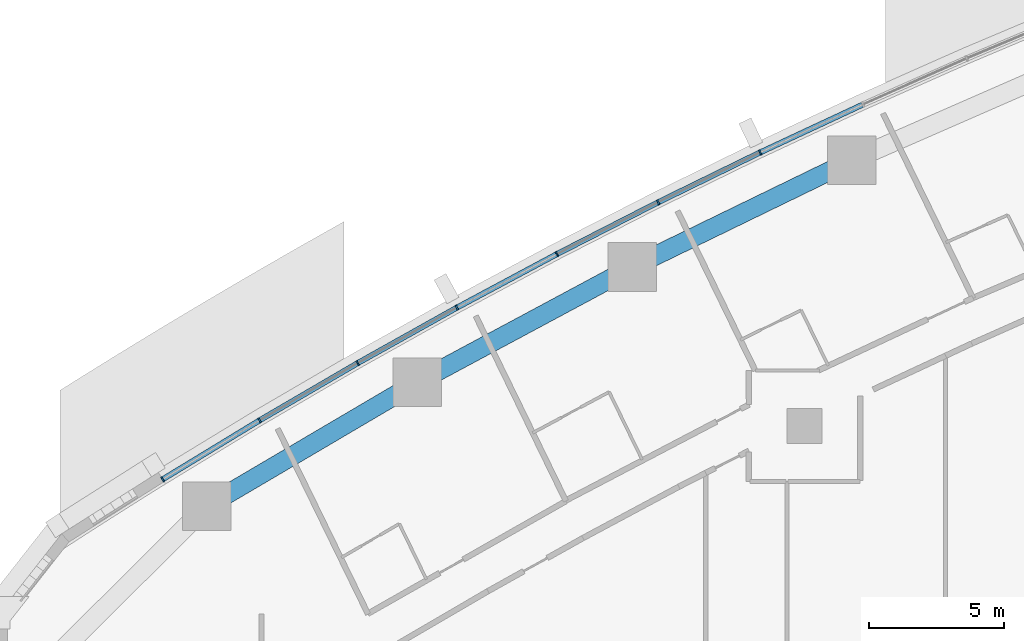
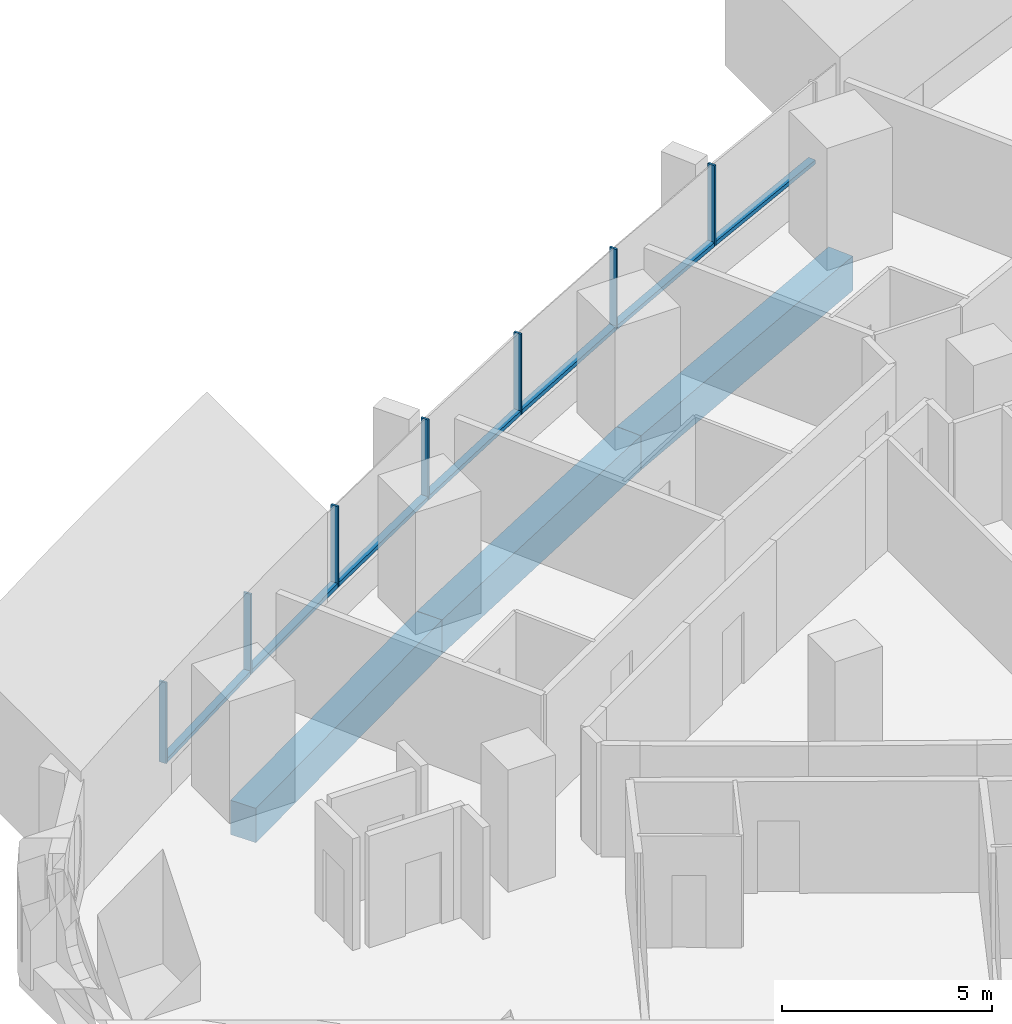
# One storey, part 5 of 19: 14 members, 3 beams, 3 elements without a shape of their own.
"""IFC4 building model written with IfcOpenShell, lengths in metres."""

from ifc_helpers import new_model, si_unit, direction, frame, origin, origin_2d, place, context, subcontext, project, spatial, rectangle, extrude, material, layer, layer_set, material_profile, profile_set, type_object, element, aggregate, save


model = new_model("IFC4")

# Units and contexts
model_context = context("Model", 3, precision=1e-05, world=origin(), true_north=direction((0.0, 1.0)))
body_context = subcontext(model_context, "Body", "Model", "MODEL_VIEW")
ifc_project = project(units=[si_unit("LENGTHUNIT", "METRE"), si_unit("AREAUNIT", "SQUARE_METRE"), si_unit("VOLUMEUNIT", "CUBIC_METRE"), si_unit("PLANEANGLEUNIT", "RADIAN"), si_unit("MASSUNIT", "GRAM", prefix="KILO")], contexts=[model_context])

# Site, building, storey
site_placement = place(None, origin())
site = spatial("IfcSite", under=ifc_project, at=site_placement, CompositionType="ELEMENT")
building_placement = place(site_placement, origin())
building = spatial("IfcBuilding", under=site, at=building_placement, Name="Ostrand Prow Hotel Tower", CompositionType="ELEMENT")
storey_placement = place(building_placement, frame((0.0, 0.0, 50.25)))
storey = spatial("IfcBuildingStorey", under=building, at=storey_placement, Name="L10", CompositionType="ELEMENT", Elevation=50.25)

# Beams
ifc_material_1 = material(Name="Concrete C80/95", Category="concrete")
ifc_material_profile_1 = material_profile(ifc_material_1, rectangle(XDim=0.699951171875, YDim=1.0, at=origin_2d()), Name="RC 700x1000")
ifc_profile_set_1 = profile_set([ifc_material_profile_1], Name="Concrete C80/95")
beam_type = type_object("IfcBeamType", Name="Edge beam 700x1000 C80/95", PredefinedType="SPANDREL", material=ifc_profile_set_1)
beam_1_placement = place(storey_placement, frame((35.7412109375, 18.814208984375, -0.800048828125), z_axis=(-0.899382499202, -0.437162578601, 0.0), x_axis=(0.437162578601, -0.899382499202, 0.0)))
element("IfcBeam", 1, at=beam_1_placement, inside=storey, type_object=beam_type, Name="Edge beam N3-N4", PredefinedType="SPANDREL", context=body_context, shape_type="SweptSolid", body=[
    extrude(rectangle(XDim=0.699951171875, YDim=1.0, at=origin_2d()), origin(), (0.0, 0.0, 1.0), 9.012451171875),
])
beam_2_placement = place(storey_placement, frame((27.635498046875, 14.874267578125, -0.800048828125), z_axis=(-0.881270074696, -0.472613008122, 0.0), x_axis=(0.472613008122, -0.881270074696, 0.0)))
element("IfcBeam", 2, at=beam_2_placement, inside=storey, type_object=beam_type, Name="Edge beam N4-N5", PredefinedType="SPANDREL", context=body_context, shape_type="SweptSolid", body=[
    extrude(rectangle(XDim=0.699951171875, YDim=1.0, at=origin_2d()), origin(), (0.0, 0.0, 1.0), 9.0126953125),
])
beam_3_placement = place(storey_placement, frame((19.69287109375, 10.61474609375, -0.800048828125), z_axis=(-0.861725230108, -0.507375233722, 0.0), x_axis=(0.507375233722, -0.861725230108, 0.0)))
element("IfcBeam", 3, at=beam_3_placement, inside=storey, type_object=beam_type, Name="Edge beam N5-N6", PredefinedType="SPANDREL", context=body_context, shape_type="SweptSolid", body=[
    extrude(rectangle(XDim=0.699951171875, YDim=1.0, at=origin_2d()), origin(), (0.0, 0.0, 1.0), 9.012451171875),
])

# Curtain wall, members
ifc_material_2 = material(Name="Insulated glass in bronze anodised frame", Category="glass")
ifc_layer = layer(ifc_material_2, 0.199951171875)
ifc_layer_set = layer_set([ifc_layer], Name="Insulated glass in bronze anodised frame")
curtain_wall_type = type_object("IfcCurtainWallType", Name="Strip curtain wall, fritted glass over bronze spandrel", PredefinedType="NOTDEFINED", material=ifc_layer_set)
curtain_wall_1_placement = place(storey_placement, origin())
curtain_wall_1 = element("IfcCurtainWall", 4, at=curtain_wall_1_placement, inside=storey, type_object=curtain_wall_type, Name="CW1 run CWN3", PredefinedType="NOTDEFINED")
ifc_material_3 = material(Name="Bronze anodised aluminium", Category="aluminium")
ifc_material_profile_2 = material_profile(ifc_material_3, rectangle(XDim=0.199951171875, YDim=0.06005859375, at=origin_2d()), Name="Mullion 60x200 bronze anodised aluminium")
ifc_profile_set_2 = profile_set([ifc_material_profile_2], Name="Bronze anodised aluminium")
member_type_1 = type_object("IfcMemberType", Name="Mullion 60x200 bronze anodised aluminium", PredefinedType="MULLION", material=ifc_profile_set_2)
member_1_placement = place(storey_placement, frame((32.360595703125, 19.10498046875, 0.89990234375), z_axis=(0.0, 0.0, 1.0), x_axis=(0.439138077204, -0.898419584131, 0.0)))
member_1 = element("IfcMember", 5, at=member_1_placement, type_object=member_type_1, Name="CW1 mullion 2", PredefinedType="MULLION", context=body_context, shape_type="SweptSolid", body=[
    extrude(rectangle(XDim=0.199951171875, YDim=0.06005859375, at=origin_2d()), origin(), (0.0, 0.0, 1.0), 2.35009765625),
])
member_2_placement = place(storey_placement, frame((28.59228515625, 17.262939453125, 0.89990234375), z_axis=(0.0, 0.0, 1.0), x_axis=(0.439138077204, -0.898419584131, 0.0)))
member_2 = element("IfcMember", 6, at=member_2_placement, type_object=member_type_1, Name="CW1 mullion 3", PredefinedType="MULLION", context=body_context, shape_type="SweptSolid", body=[
    extrude(rectangle(XDim=0.199951171875, YDim=0.06005859375, at=origin_2d()), origin(), (0.0, 0.0, 1.0), 2.35009765625),
])

curtain_wall_2_placement = place(storey_placement, origin())
curtain_wall_2 = element("IfcCurtainWall", 7, at=curtain_wall_2_placement, inside=storey, type_object=curtain_wall_type, Name="CW1 run CWN4", PredefinedType="NOTDEFINED")
member_3_placement = place(storey_placement, frame((24.858642578125, 15.35205078125, 0.89990234375), z_axis=(0.0, 0.0, 1.0), x_axis=(0.471899992481, -0.881652083929, 0.0)))
member_3 = element("IfcMember", 8, at=member_3_placement, type_object=member_type_1, Name="CW1 mullion 2", PredefinedType="MULLION", context=body_context, shape_type="SweptSolid", body=[
    extrude(rectangle(XDim=0.199951171875, YDim=0.06005859375, at=origin_2d()), origin(), (0.0, 0.0, 1.0), 2.35009765625),
])
member_4_placement = place(storey_placement, frame((21.160888671875, 13.372802734375, 0.89990234375), z_axis=(0.0, 0.0, 1.0), x_axis=(0.488043996167, -0.872819029241, 0.0)))
member_4 = element("IfcMember", 9, at=member_4_placement, type_object=member_type_1, Name="CW1 mullion 3", PredefinedType="MULLION", context=body_context, shape_type="SweptSolid", body=[
    extrude(rectangle(XDim=0.199951171875, YDim=0.06005859375, at=origin_2d()), origin(), (0.0, 0.0, 1.0), 2.35009765625),
])
member_5_placement = place(storey_placement, frame((17.5, 11.325927734375, 0.89990234375), z_axis=(0.0, 0.0, 1.0), x_axis=(0.488043996167, -0.872819029241, 0.0)))
member_5 = element("IfcMember", 10, at=member_5_placement, type_object=member_type_1, Name="CW1 mullion 4", PredefinedType="MULLION", context=body_context, shape_type="SweptSolid", body=[
    extrude(rectangle(XDim=0.199951171875, YDim=0.06005859375, at=origin_2d()), origin(), (0.0, 0.0, 1.0), 2.35009765625),
])

curtain_wall_3_placement = place(storey_placement, origin())
curtain_wall_3 = element("IfcCurtainWall", 11, at=curtain_wall_3_placement, inside=storey, type_object=curtain_wall_type, Name="CW1 run CWN5", PredefinedType="NOTDEFINED")
member_6_placement = place(storey_placement, frame((13.87744140625, 9.2119140625, 0.89990234375), z_axis=(0.0, 0.0, 1.0), x_axis=(0.519830761515, -0.854269266322, 0.0)))
member_6 = element("IfcMember", 12, at=member_6_placement, type_object=member_type_1, Name="CW1 mullion 2", PredefinedType="MULLION", context=body_context, shape_type="SweptSolid", body=[
    extrude(rectangle(XDim=0.199951171875, YDim=0.06005859375, at=origin_2d()), origin(), (0.0, 0.0, 1.0), 2.35009765625),
])
member_7_placement = place(storey_placement, frame((10.29443359375, 7.031494140625, 0.89990234375), z_axis=(0.0, 0.0, 1.0), x_axis=(0.519830761515, -0.854269266322, 0.0)))
member_7 = element("IfcMember", 13, at=member_7_placement, type_object=member_type_1, Name="CW1 mullion 3", PredefinedType="MULLION", context=body_context, shape_type="SweptSolid", body=[
    extrude(rectangle(XDim=0.199951171875, YDim=0.06005859375, at=origin_2d()), origin(), (0.0, 0.0, 1.0), 2.35009765625),
])

# Member
ifc_material_4 = material(Name="Bronze anodised aluminium", Category="aluminium")
ifc_material_profile_3 = material_profile(ifc_material_4, rectangle(XDim=0.199951171875, YDim=0.1201171875, at=origin_2d()), Name="Transom 120x200 bronze anodised aluminium")
ifc_profile_set_3 = profile_set([ifc_material_profile_3], Name="Bronze anodised aluminium")
member_type_2 = type_object("IfcMemberType", Name="Transom 120x200 bronze anodised aluminium", PredefinedType="USERDEFINED", material=ifc_profile_set_3)
member_8_placement = place(storey_placement, frame((36.135009765625, 20.864501953125, 0.9599609375), z_axis=(-0.906338458793, -0.422552479714, 0.0), x_axis=(0.422552479714, -0.906338458793, 0.0)))
member_8 = element("IfcMember", 14, at=member_8_placement, type_object=member_type_2, Name="CW1 transom 1.1", ObjectType="TRANSOM", PredefinedType="USERDEFINED", context=body_context, shape_type="SweptSolid", body=[
    extrude(rectangle(XDim=0.199951171875, YDim=0.1201171875, at=origin_2d()), origin(), (0.0, 0.0, 1.0), 4.134521484375),
])

member_9_placement = place(storey_placement, frame((32.33349609375, 19.091796875, 0.9599609375), z_axis=(-0.898395234758, -0.439187889364, 0.0), x_axis=(0.439187889364, -0.898395234758, 0.0)))
member_9 = element("IfcMember", 15, at=member_9_placement, type_object=member_type_2, Name="CW1 transom 2.1", ObjectType="TRANSOM", PredefinedType="USERDEFINED", context=body_context, shape_type="SweptSolid", body=[
    extrude(rectangle(XDim=0.199951171875, YDim=0.1201171875, at=origin_2d()), origin(), (0.0, 0.0, 1.0), 4.13427734375),
])

aggregate(curtain_wall_1, [member_1, member_2, member_8, member_9])

member_10_placement = place(storey_placement, frame((28.565673828125, 17.249267578125, 0.9599609375), z_axis=(-0.890182999343, -0.455603147136, 0.0), x_axis=(0.455603147136, -0.890182999343, 0.0)))
member_10 = element("IfcMember", 16, at=member_10_placement, type_object=member_type_2, Name="CW1 transom 1.1", ObjectType="TRANSOM", PredefinedType="USERDEFINED", context=body_context, shape_type="SweptSolid", body=[
    extrude(rectangle(XDim=0.199951171875, YDim=0.1201171875, at=origin_2d()), origin(), (0.0, 0.0, 1.0), 4.13427734375),
])

member_11_placement = place(storey_placement, frame((24.832275390625, 15.337890625, 0.9599609375), z_axis=(-0.881657241639, -0.471890356191, 0.0), x_axis=(0.471890356191, -0.881657241639, 0.0)))
member_11 = element("IfcMember", 17, at=member_11_placement, type_object=member_type_2, Name="CW1 transom 2.1", ObjectType="TRANSOM", PredefinedType="USERDEFINED", context=body_context, shape_type="SweptSolid", body=[
    extrude(rectangle(XDim=0.199951171875, YDim=0.1201171875, at=origin_2d()), origin(), (0.0, 0.0, 1.0), 4.13427734375),
])

member_12_placement = place(storey_placement, frame((21.134765625, 13.358154296875, 0.9599609375), z_axis=(-0.872842137405, -0.488002667175, 0.0), x_axis=(0.488002667175, -0.872842137405, 0.0)))
member_12 = element("IfcMember", 18, at=member_12_placement, type_object=member_type_2, Name="CW1 transom 3.1", ObjectType="TRANSOM", PredefinedType="USERDEFINED", context=body_context, shape_type="SweptSolid", body=[
    extrude(rectangle(XDim=0.199951171875, YDim=0.1201171875, at=origin_2d()), origin(), (0.0, 0.0, 1.0), 4.13427734375),
])

aggregate(curtain_wall_2, [member_3, member_4, member_5, member_10, member_11, member_12])

member_13_placement = place(storey_placement, frame((17.47412109375, 11.310791015625, 0.9599609375), z_axis=(-0.863697501622, -0.504010541251, 0.0), x_axis=(0.504010541251, -0.863697501622, 0.0)))
member_13 = element("IfcMember", 19, at=member_13_placement, type_object=member_type_2, Name="CW1 transom 1.1", ObjectType="TRANSOM", PredefinedType="USERDEFINED", context=body_context, shape_type="SweptSolid", body=[
    extrude(rectangle(XDim=0.199951171875, YDim=0.1201171875, at=origin_2d()), origin(), (0.0, 0.0, 1.0), 4.13427734375),
])

member_14_placement = place(storey_placement, frame((13.851806640625, 9.1962890625, 0.9599609375), z_axis=(-0.8542612678, -0.519843905741, 0.0), x_axis=(0.519843905741, -0.8542612678, 0.0)))
member_14 = element("IfcMember", 20, at=member_14_placement, type_object=member_type_2, Name="CW1 transom 2.1", ObjectType="TRANSOM", PredefinedType="USERDEFINED", context=body_context, shape_type="SweptSolid", body=[
    extrude(rectangle(XDim=0.199951171875, YDim=0.1201171875, at=origin_2d()), origin(), (0.0, 0.0, 1.0), 4.13427734375),
])

aggregate(curtain_wall_3, [member_6, member_7, member_13, member_14])

save(model, "model.ifc")
